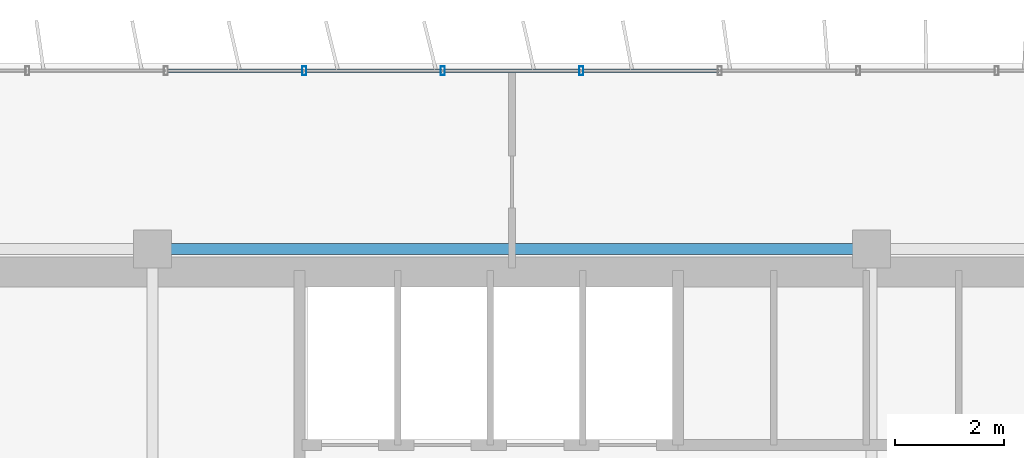
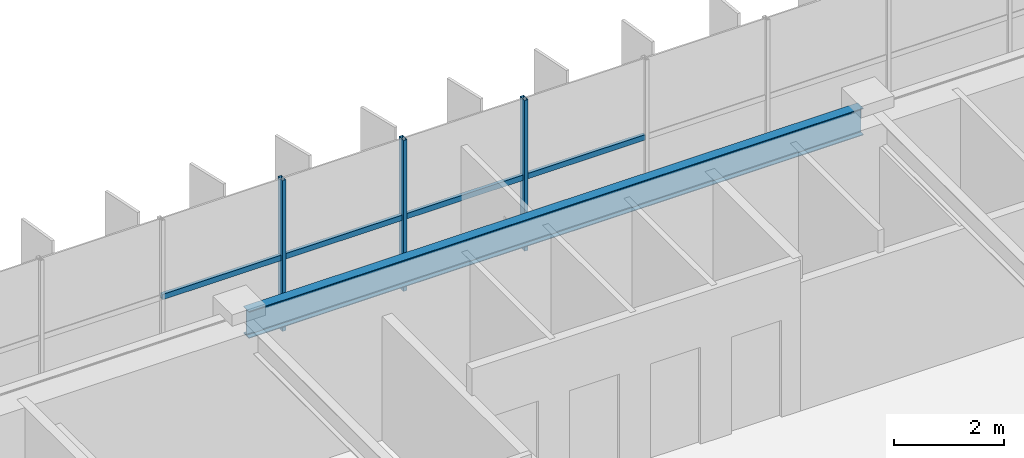
# One storey, part 7 of 21: 7 members, 1 beam, 1 element without a shape of its own.
"""IFC4 building model written with IfcOpenShell, lengths in metres."""

from ifc_helpers import new_model, si_unit, direction, frame, origin, origin_2d, place, context, subcontext, project, spatial, hollow_rectangle, i_section, extrude, source, transform, mapped, material, material_profile, profile_set, type_object, element, aggregate, save


model = new_model("IFC4")

# Units and contexts
model_context = context("Model", 3, precision=1e-05, world=origin(), true_north=direction((0.0, 1.0)))
body_context = subcontext(model_context, "Body", "Model", "MODEL_VIEW")
ifc_project = project(units=[si_unit("LENGTHUNIT", "METRE"), si_unit("AREAUNIT", "SQUARE_METRE"), si_unit("VOLUMEUNIT", "CUBIC_METRE"), si_unit("PLANEANGLEUNIT", "RADIAN"), si_unit("MASSUNIT", "GRAM", prefix="KILO")], contexts=[model_context])

# Site, building, storey
site_placement = place(None, origin())
site = spatial("IfcSite", under=ifc_project, at=site_placement, CompositionType="ELEMENT")
building_placement = place(site_placement, origin())
building = spatial("IfcBuilding", under=site, at=building_placement, Name="Trelvane Seafront Commons", CompositionType="ELEMENT")
storey_placement = place(building_placement, frame((0.0, 0.0, 160.89990234375)))
storey = spatial("IfcBuildingStorey", under=building, at=storey_placement, Name="L42", CompositionType="ELEMENT", Elevation=160.89990234375)

# Beam
ifc_material_1 = material(Name="Steel SM355 (S355)", Category="steel")
ifc_material_profile_1 = material_profile(ifc_material_1, i_section(OverallWidth=0.199951171875, OverallDepth=0.60009765625, WebThickness=0.010986328125, FlangeThickness=0.01708984375, at=origin_2d()), Name="H-600x200x11x17")
ifc_profile_set_1 = profile_set([ifc_material_profile_1], Name="Steel SM355 (S355)")
beam_type = type_object("IfcBeamType", Name="STR-SPD-H600", PredefinedType="SPANDREL", material=ifc_profile_set_1)
shared_shape_1 = source(origin(), body_context, "Body", "SweptSolid", [
    extrude(i_section(OverallWidth=0.199951171875, OverallDepth=0.60009765625, WebThickness=0.010986328125, FlangeThickness=0.01708984375, at=origin_2d()), origin(), (0.0, 0.0, 1.0), 12.89990234375),
])
beam_placement = place(storey_placement, frame((30.75, 45.10009765625, 3.050048828125), z_axis=(1.0, 0.0, 0.0), x_axis=(0.0, 1.0, 0.0)))
element("IfcBeam", 1, at=beam_placement, inside=storey, type_object=beam_type, Name="L42 Primary Girder G-25", PredefinedType="SPANDREL", context=body_context, shape_type="MappedRepresentation", body=[
    mapped(shared_shape_1, transform((0.0, 0.0, 0.0), x_axis=(1.0, 0.0, 0.0), y_axis=(0.0, 1.0, 0.0), z_axis=(0.0, 0.0, 1.0), scale=1.0)),
])

# Curtain wall, members
ifc_material_2 = material(Name="Anodised pale-silver aluminium", Category="aluminium")
curtain_wall_type = type_object("IfcCurtainWallType", Name="ARCH-CW5-UPTOWER", PredefinedType="NOTDEFINED", material=ifc_material_2)
curtain_wall_placement = place(storey_placement, origin())
curtain_wall = element("IfcCurtainWall", 2, at=curtain_wall_placement, inside=storey, type_object=curtain_wall_type, Name="CW-L42-0069", PredefinedType="NOTDEFINED")
ifc_material_profile_2 = material_profile(ifc_material_2, hollow_rectangle(XDim=0.070068359375, YDim=0.1201171875, WallThickness=0.00390625, at=origin_2d()), Name="TRAN-70x120x4")
ifc_profile_set_2 = profile_set([ifc_material_profile_2], Name="Anodised pale-silver aluminium")
member_type_1 = type_object("IfcMemberType", Name="ARCH-CW-TRAN-120", PredefinedType="USERDEFINED", material=ifc_profile_set_2)
shared_shape_2 = source(origin(), body_context, "Body", "SweptSolid", [
    extrude(hollow_rectangle(XDim=0.070068359375, YDim=0.1201171875, WallThickness=0.00390625, at=origin_2d()), origin(), (0.0, 0.0, 1.0), 2.51708984375),
])
member_1_placement = place(storey_placement, frame((30.859130859375, 48.3701171875, 1.608154296875), z_axis=(1.0, 0.0, 0.0), x_axis=(0.0, 1.0, 0.0)))
member_1 = element("IfcMember", 3, at=member_1_placement, type_object=member_type_1, Name="CW-L42-0069-T06", ObjectType="TRANSOM", PredefinedType="USERDEFINED", context=body_context, shape_type="MappedRepresentation", body=[
    mapped(shared_shape_2, transform((0.0, 0.0, 0.0), x_axis=(1.0, 0.0, 0.0), y_axis=(0.0, 1.0, 0.0), z_axis=(0.0, 0.0, 1.0), scale=1.0)),
])
member_2_placement = place(storey_placement, frame((35.94140625, 48.3701171875, 1.608154296875), z_axis=(1.0, 0.0, 0.0), x_axis=(0.0, 1.0, 0.0)))
member_2 = element("IfcMember", 4, at=member_2_placement, type_object=member_type_1, Name="CW-L42-0069-T08", ObjectType="TRANSOM", PredefinedType="USERDEFINED", context=body_context, shape_type="MappedRepresentation", body=[
    mapped(shared_shape_2, transform((0.0, 0.0, 0.0), x_axis=(1.0, 0.0, 0.0), y_axis=(0.0, 1.0, 0.0), z_axis=(0.0, 0.0, 1.0), scale=1.0)),
])
member_3_placement = place(storey_placement, frame((38.482666015625, 48.3701171875, 1.608154296875), z_axis=(1.0, 0.0, 0.0), x_axis=(0.0, 1.0, 0.0)))
member_3 = element("IfcMember", 5, at=member_3_placement, type_object=member_type_1, Name="CW-L42-0069-T09", ObjectType="TRANSOM", PredefinedType="USERDEFINED", context=body_context, shape_type="MappedRepresentation", body=[
    mapped(shared_shape_2, transform((0.0, 0.0, 0.0), x_axis=(1.0, 0.0, 0.0), y_axis=(0.0, 1.0, 0.0), z_axis=(0.0, 0.0, 1.0), scale=1.0)),
])
shared_shape_3 = source(origin(), body_context, "Body", "SweptSolid", [
    extrude(hollow_rectangle(XDim=0.070068359375, YDim=0.1201171875, WallThickness=0.00390625, at=origin_2d()), origin(), (0.0, 0.0, 1.0), 2.517333984375),
])
member_4_placement = place(storey_placement, frame((33.400146484375, 48.3701171875, 1.608154296875), z_axis=(1.0, 0.0, 0.0), x_axis=(0.0, 1.0, 0.0)))
member_4 = element("IfcMember", 6, at=member_4_placement, type_object=member_type_1, Name="CW-L42-0069-T07", ObjectType="TRANSOM", PredefinedType="USERDEFINED", context=body_context, shape_type="MappedRepresentation", body=[
    mapped(shared_shape_3, transform((0.0, 0.0, 0.0), x_axis=(1.0, 0.0, 0.0), y_axis=(0.0, 1.0, 0.0), z_axis=(0.0, 0.0, 1.0), scale=1.0)),
])
ifc_material_profile_3 = material_profile(ifc_material_2, hollow_rectangle(XDim=0.074951171875, YDim=0.159912109375, WallThickness=0.00390625, at=origin_2d()), Name="MULL-75x160x4")
ifc_profile_set_3 = profile_set([ifc_material_profile_3], Name="Anodised pale-silver aluminium")
member_type_2 = type_object("IfcMemberType", Name="ARCH-CW-MULL-160", PredefinedType="MULLION", material=ifc_profile_set_3)
shared_shape_4 = source(origin(), body_context, "Body", "SweptSolid", [
    extrude(hollow_rectangle(XDim=0.074951171875, YDim=0.159912109375, WallThickness=0.00390625, at=origin_2d()), origin(), (0.0, 0.0, 1.0), 3.35009765625),
])
member_5_placement = place(storey_placement, frame((33.38818359375, 48.3701171875, 0.0), z_axis=(0.0, 0.0, 1.0), x_axis=(1.0, 0.0, 0.0)))
member_5 = element("IfcMember", 7, at=member_5_placement, type_object=member_type_2, Name="CW-L42-0069-M07", PredefinedType="MULLION", context=body_context, shape_type="MappedRepresentation", body=[
    mapped(shared_shape_4, transform((0.0, 0.0, 0.0), x_axis=(1.0, 0.0, 0.0), y_axis=(0.0, 1.0, 0.0), z_axis=(0.0, 0.0, 1.0), scale=1.0)),
])
member_6_placement = place(storey_placement, frame((35.929443359375, 48.3701171875, 0.0), z_axis=(0.0, 0.0, 1.0), x_axis=(1.0, 0.0, 0.0)))
member_6 = element("IfcMember", 8, at=member_6_placement, type_object=member_type_2, Name="CW-L42-0069-M08", PredefinedType="MULLION", context=body_context, shape_type="MappedRepresentation", body=[
    mapped(shared_shape_4, transform((0.0, 0.0, 0.0), x_axis=(1.0, 0.0, 0.0), y_axis=(0.0, 1.0, 0.0), z_axis=(0.0, 0.0, 1.0), scale=1.0)),
])
member_7_placement = place(storey_placement, frame((38.470703125, 48.3701171875, 0.0), z_axis=(0.0, 0.0, 1.0), x_axis=(1.0, 0.0, 0.0)))
member_7 = element("IfcMember", 9, at=member_7_placement, type_object=member_type_2, Name="CW-L42-0069-M09", PredefinedType="MULLION", context=body_context, shape_type="MappedRepresentation", body=[
    mapped(shared_shape_4, transform((0.0, 0.0, 0.0), x_axis=(1.0, 0.0, 0.0), y_axis=(0.0, 1.0, 0.0), z_axis=(0.0, 0.0, 1.0), scale=1.0)),
])
aggregate(curtain_wall, [member_5, member_6, member_7, member_1, member_4, member_2, member_3])

save(model, "model.ifc")
